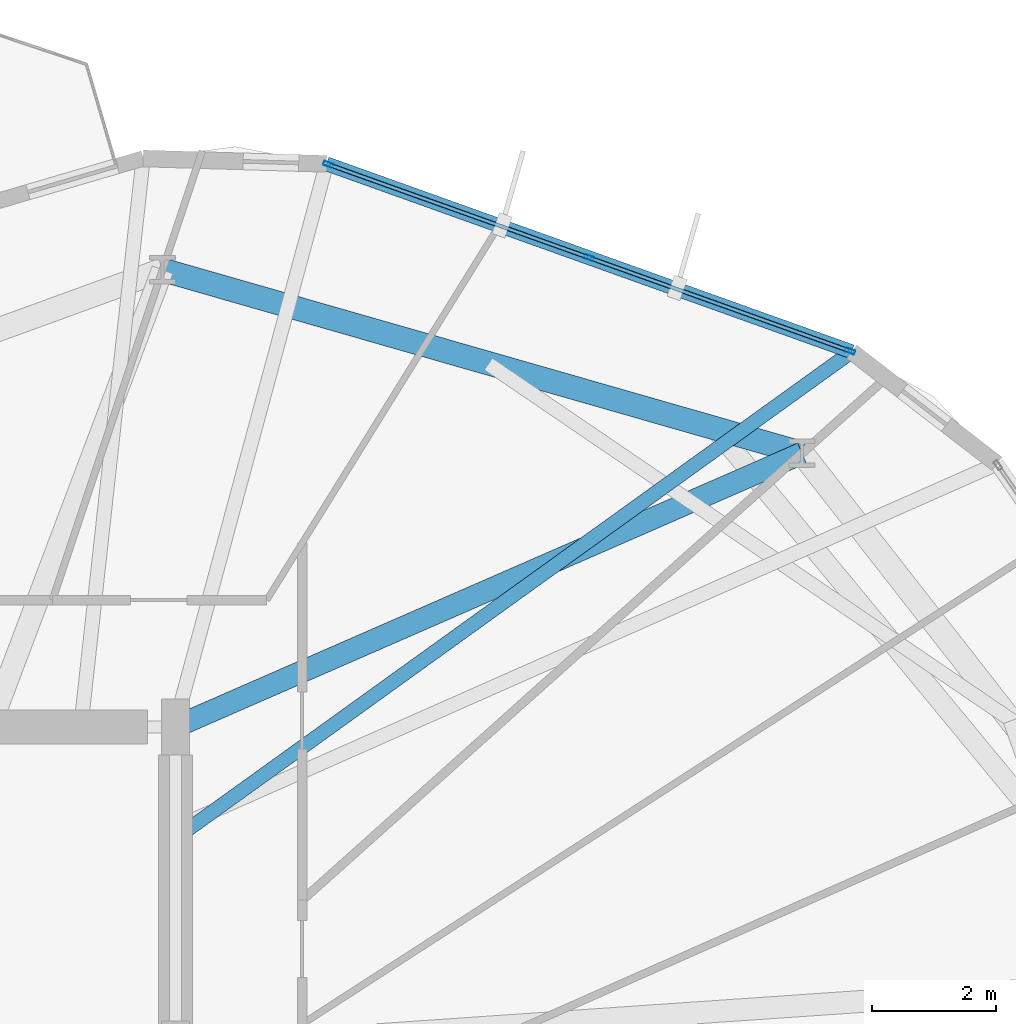
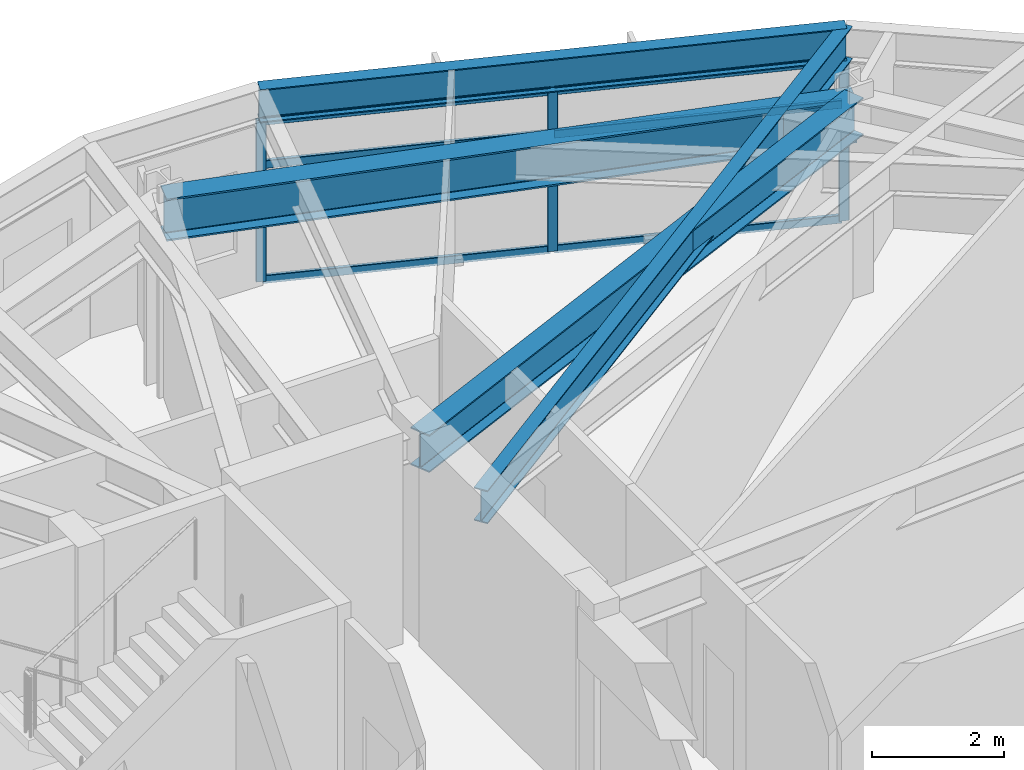
# One storey, part 16 of 24: 9 members, 4 beams, 1 element without a shape of its own.
"""IFC4 building model written with IfcOpenShell, lengths in metres."""

from ifc_helpers import new_model, si_unit, direction, frame, origin, origin_2d, place, context, subcontext, project, spatial, hollow_rectangle, i_section, extrude, material, layer, layer_set, material_profile, profile_set, type_object, element, aggregate, save


model = new_model("IFC4")

# Units and contexts
model_context = context("Model", 3, precision=1e-05, world=origin(), true_north=direction((0.0, 1.0)))
body_context = subcontext(model_context, "Body", "Model", "MODEL_VIEW")
ifc_project = project(units=[si_unit("LENGTHUNIT", "METRE"), si_unit("AREAUNIT", "SQUARE_METRE"), si_unit("VOLUMEUNIT", "CUBIC_METRE"), si_unit("PLANEANGLEUNIT", "RADIAN"), si_unit("MASSUNIT", "GRAM", prefix="KILO")], contexts=[model_context])

# Site, building, storey
site_placement = place(None, origin())
site = spatial("IfcSite", under=ifc_project, at=site_placement, CompositionType="ELEMENT")
building_placement = place(site_placement, origin())
building = spatial("IfcBuilding", under=site, at=building_placement, Name="Soratama Intermodal Tower", CompositionType="ELEMENT")
storey_placement = place(building_placement, frame((0.0, 0.0, 91.300048828125)))
storey = spatial("IfcBuildingStorey", under=building, at=storey_placement, Name="L21", CompositionType="ELEMENT", Elevation=91.300048828125)

# Beams
ifc_material_1 = material(Name="Structural steel ASTM A992 Grade 50", Category="steel")
ifc_material_profile_1 = material_profile(ifc_material_1, i_section(OverallWidth=0.35498046875, OverallDepth=0.695068359375, WebThickness=0.015380859375, FlangeThickness=0.02490234375, FilletRadius=0.01611328125, at=origin_2d()), Name="W27X146")
ifc_profile_set_1 = profile_set([ifc_material_profile_1], Name="Structural steel ASTM A992 Grade 50")
beam_type_1 = type_object("IfcBeamType", Name="BM-RING-W27X146", PredefinedType="BEAM", material=ifc_profile_set_1)
beam_1_placement = place(storey_placement, frame((44.60009765625, 35.0, 3.25244140625), z_axis=(0.91638224797, 0.400304353718, 0.0), x_axis=(-0.400304353718, 0.91638224797, 0.0)))
element("IfcBeam", 1, at=beam_1_placement, inside=storey, type_object=beam_type_1, Name="BM-L21-RAD-02", PredefinedType="BEAM", context=body_context, shape_type="SweptSolid", body=[
    extrude(i_section(OverallWidth=0.35498046875, OverallDepth=0.695068359375, WebThickness=0.015380859375, FlangeThickness=0.02490234375, FilletRadius=0.01611328125, at=origin_2d()), origin(), (0.0, 0.0, 1.0), 11.05419921875),
])
ifc_material_2 = material(Name="Structural steel ASTM A992 Grade 50", Category="steel")
ifc_material_profile_2 = material_profile(ifc_material_2, i_section(OverallWidth=0.382080078125, OverallDepth=0.779052734375, WebThickness=0.01806640625, FlangeThickness=0.030029296875, FilletRadius=0.01806640625, at=origin_2d()), Name="W30X191")
ifc_profile_set_2 = profile_set([ifc_material_profile_2], Name="Structural steel ASTM A992 Grade 50")
beam_type_2 = type_object("IfcBeamType", Name="BM-RING-W30X191", PredefinedType="BEAM", material=ifc_profile_set_2)
beam_2_placement = place(storey_placement, frame((54.72998046875, 39.425048828125, 3.21044921875), z_axis=(-0.961266505995, 0.275620580604, 0.0), x_axis=(-0.275620580604, -0.961266505995, 0.0)))
element("IfcBeam", 2, at=beam_2_placement, inside=storey, type_object=beam_type_2, Name="BM-L21-RING-02", PredefinedType="BEAM", context=body_context, shape_type="SweptSolid", body=[
    extrude(i_section(OverallWidth=0.382080078125, OverallDepth=0.779052734375, WebThickness=0.01806640625, FlangeThickness=0.030029296875, FilletRadius=0.01806640625, at=origin_2d()), origin(), (0.0, 0.0, 1.0), 10.75341796875),
])
ifc_material_3 = material(Name="Structural steel ASTM A992 Grade 50", Category="steel")
ifc_material_profile_3 = material_profile(ifc_material_3, i_section(OverallWidth=0.22900390625, OverallDepth=0.612060546875, WebThickness=0.011962890625, FlangeThickness=0.01953125, FilletRadius=0.012939453125, at=origin_2d()), Name="W24X84")
ifc_profile_set_3 = profile_set([ifc_material_profile_3], Name="Structural steel ASTM A992 Grade 50")
beam_type_3 = type_object("IfcBeamType", Name="BM-SPN-W24X84", PredefinedType="SPANDREL", material=ifc_profile_set_3)
beam_3_placement = place(storey_placement, frame((55.533935546875, 41.06591796875, 3.2939453125), z_axis=(-0.941567199784, 0.336825189513, 0.0), x_axis=(-0.336825189513, -0.941567199784, 0.0)))
element("IfcBeam", 3, at=beam_3_placement, inside=storey, type_object=beam_type_3, Name="BS-L21-F02", PredefinedType="SPANDREL", context=body_context, shape_type="SweptSolid", body=[
    extrude(i_section(OverallWidth=0.22900390625, OverallDepth=0.612060546875, WebThickness=0.011962890625, FlangeThickness=0.01953125, FilletRadius=0.012939453125, at=origin_2d()), origin(), (0.0, 0.0, 1.0), 9.016845703125),
])
ifc_material_4 = material(Name="Structural steel ASTM A992 Grade 50", Category="steel")
ifc_material_profile_4 = material_profile(ifc_material_4, i_section(OverallWidth=0.22900390625, OverallDepth=0.612060546875, WebThickness=0.011962890625, FlangeThickness=0.01953125, FilletRadius=0.012939453125, at=origin_2d()), Name="W24X84")
ifc_profile_set_4 = profile_set([ifc_material_profile_4], Name="Structural steel ASTM A992 Grade 50")
beam_type_4 = type_object("IfcBeamType", Name="BM-TIE-W24X84", PredefinedType="BEAM", material=ifc_profile_set_4)
beam_4_placement = place(storey_placement, frame((44.632080078125, 33.218994140625, 3.2939453125), z_axis=(0.81161948493, 0.58418645284, 0.0), x_axis=(-0.58418645284, 0.81161948493, 0.0)))
element("IfcBeam", 4, at=beam_4_placement, inside=storey, type_object=beam_type_4, Name="BM-L21-TIE0-02", PredefinedType="BEAM", context=body_context, shape_type="SweptSolid", body=[
    extrude(i_section(OverallWidth=0.22900390625, OverallDepth=0.612060546875, WebThickness=0.011962890625, FlangeThickness=0.01953125, FilletRadius=0.012939453125, at=origin_2d()), origin(), (0.0, 0.0, 1.0), 13.43212890625),
])

# Curtain wall, members
ifc_material_5 = material(Name="Double-glazed aluminium curtain wall", Category="aluminium")
ifc_layer = layer(ifc_material_5, 0.159912109375)
ifc_layer_set = layer_set([ifc_layer], Name="Double-glazed aluminium curtain wall")
curtain_wall_type = type_object("IfcCurtainWallType", Name="CW-SYS-3", PredefinedType="NOTDEFINED", material=ifc_layer_set)
curtain_wall_placement = place(storey_placement, origin())
curtain_wall = element("IfcCurtainWall", 5, at=curtain_wall_placement, inside=storey, type_object=curtain_wall_type, Name="L21 Faceted Curtain Wall F02", PredefinedType="NOTDEFINED")
ifc_material_6 = material(Name="Anodised aluminium AA 6063-T6", Category="aluminium")
ifc_material_profile_5 = material_profile(ifc_material_6, hollow_rectangle(XDim=0.070068359375, YDim=0.159912109375, WallThickness=0.0048828125, InnerFilletRadius=0.0048828125, OuterFilletRadius=0.010009765625, at=origin_2d()), Name="CWM160X70X5")
ifc_profile_set_5 = profile_set([ifc_material_profile_5], Name="Anodised aluminium AA 6063-T6")
member_type_1 = type_object("IfcMemberType", Name="MT-CWM-3", PredefinedType="MULLION", material=ifc_profile_set_5)
member_1_placement = place(storey_placement, frame((55.506103515625, 41.076416015625, 0.0), z_axis=(0.0, 0.0, 1.0), x_axis=(-0.336761412889, -0.941590012048, 0.0)))
member_1 = element("IfcMember", 6, at=member_1_placement, type_object=member_type_1, Name="CW-3 mullion 1", PredefinedType="MULLION", context=body_context, shape_type="SweptSolid", body=[
    extrude(hollow_rectangle(XDim=0.070068359375, YDim=0.159912109375, WallThickness=0.0048828125, InnerFilletRadius=0.0048828125, OuterFilletRadius=0.010009765625, at=origin_2d()), origin(), (0.0, 0.0, 1.0), 2.97900390625),
])
member_2_placement = place(storey_placement, frame((51.289306640625, 42.58447265625, 0.0), z_axis=(0.0, 0.0, 1.0), x_axis=(-0.336761412889, -0.941590012048, 0.0)))
member_2 = element("IfcMember", 7, at=member_2_placement, type_object=member_type_1, Name="CW-3 mullion 2", PredefinedType="MULLION", context=body_context, shape_type="SweptSolid", body=[
    extrude(hollow_rectangle(XDim=0.070068359375, YDim=0.159912109375, WallThickness=0.0048828125, InnerFilletRadius=0.0048828125, OuterFilletRadius=0.010009765625, at=origin_2d()), origin(), (0.0, 0.0, 1.0), 2.97900390625),
])
member_3_placement = place(storey_placement, frame((47.072509765625, 44.0927734375, 0.0), z_axis=(0.0, 0.0, 1.0), x_axis=(-0.336761412889, -0.941590012048, 0.0)))
member_3 = element("IfcMember", 8, at=member_3_placement, type_object=member_type_1, Name="CW-3 mullion 3", PredefinedType="MULLION", context=body_context, shape_type="SweptSolid", body=[
    extrude(hollow_rectangle(XDim=0.070068359375, YDim=0.159912109375, WallThickness=0.0048828125, InnerFilletRadius=0.0048828125, OuterFilletRadius=0.010009765625, at=origin_2d()), origin(), (0.0, 0.0, 1.0), 2.97900390625),
])
ifc_material_7 = material(Name="Anodised aluminium AA 6063-T6", Category="aluminium")
ifc_material_profile_6 = material_profile(ifc_material_7, hollow_rectangle(XDim=0.06494140625, YDim=0.14990234375, WallThickness=0.0048828125, InnerFilletRadius=0.0048828125, OuterFilletRadius=0.010009765625, at=origin_2d()), Name="CWT150X65X5")
ifc_profile_set_6 = profile_set([ifc_material_profile_6], Name="Anodised aluminium AA 6063-T6")
member_type_2 = type_object("IfcMemberType", Name="TT-CWT-1", PredefinedType="USERDEFINED", material=ifc_profile_set_6)
member_4_placement = place(storey_placement, frame((55.477783203125, 41.08642578125, 0.030029296875), z_axis=(-0.94158554829, 0.336773893365, 0.0), x_axis=(-0.336773893365, -0.94158554829, 0.0)))
member_4 = element("IfcMember", 9, at=member_4_placement, type_object=member_type_2, Name="CW-3 transom 1.1", ObjectType="TRANSOM", PredefinedType="USERDEFINED", context=body_context, shape_type="SweptSolid", body=[
    extrude(hollow_rectangle(XDim=0.06494140625, YDim=0.14990234375, WallThickness=0.0048828125, InnerFilletRadius=0.0048828125, OuterFilletRadius=0.010009765625, at=origin_2d()), origin(), (0.0, 0.0, 1.0), 4.41845703125),
])
member_5_placement = place(storey_placement, frame((55.477783203125, 41.08642578125, 2.14990234375), z_axis=(-0.94158554829, 0.336773893365, 0.0), x_axis=(-0.336773893365, -0.94158554829, 0.0)))
member_5 = element("IfcMember", 10, at=member_5_placement, type_object=member_type_2, Name="CW-3 transom 1.2", ObjectType="TRANSOM", PredefinedType="USERDEFINED", context=body_context, shape_type="SweptSolid", body=[
    extrude(hollow_rectangle(XDim=0.06494140625, YDim=0.14990234375, WallThickness=0.0048828125, InnerFilletRadius=0.0048828125, OuterFilletRadius=0.010009765625, at=origin_2d()), origin(), (0.0, 0.0, 1.0), 4.41845703125),
])
member_6_placement = place(storey_placement, frame((55.477783203125, 41.08642578125, 2.948974609375), z_axis=(-0.94158554829, 0.336773893365, 0.0), x_axis=(-0.336773893365, -0.94158554829, 0.0)))
member_6 = element("IfcMember", 11, at=member_6_placement, type_object=member_type_2, Name="CW-3 transom 1.3", ObjectType="TRANSOM", PredefinedType="USERDEFINED", context=body_context, shape_type="SweptSolid", body=[
    extrude(hollow_rectangle(XDim=0.06494140625, YDim=0.14990234375, WallThickness=0.0048828125, InnerFilletRadius=0.0048828125, OuterFilletRadius=0.010009765625, at=origin_2d()), origin(), (0.0, 0.0, 1.0), 4.41845703125),
])
member_7_placement = place(storey_placement, frame((51.260986328125, 42.5947265625, 0.030029296875), z_axis=(-0.941603068504, 0.33672490461, 0.0), x_axis=(-0.33672490461, -0.941603068504, 0.0)))
member_7 = element("IfcMember", 12, at=member_7_placement, type_object=member_type_2, Name="CW-3 transom 2.1", ObjectType="TRANSOM", PredefinedType="USERDEFINED", context=body_context, shape_type="SweptSolid", body=[
    extrude(hollow_rectangle(XDim=0.06494140625, YDim=0.14990234375, WallThickness=0.0048828125, InnerFilletRadius=0.0048828125, OuterFilletRadius=0.010009765625, at=origin_2d()), origin(), (0.0, 0.0, 1.0), 4.41845703125),
])
member_8_placement = place(storey_placement, frame((51.260986328125, 42.5947265625, 2.14990234375), z_axis=(-0.941603068504, 0.33672490461, 0.0), x_axis=(-0.33672490461, -0.941603068504, 0.0)))
member_8 = element("IfcMember", 13, at=member_8_placement, type_object=member_type_2, Name="CW-3 transom 2.2", ObjectType="TRANSOM", PredefinedType="USERDEFINED", context=body_context, shape_type="SweptSolid", body=[
    extrude(hollow_rectangle(XDim=0.06494140625, YDim=0.14990234375, WallThickness=0.0048828125, InnerFilletRadius=0.0048828125, OuterFilletRadius=0.010009765625, at=origin_2d()), origin(), (0.0, 0.0, 1.0), 4.41845703125),
])
member_9_placement = place(storey_placement, frame((51.260986328125, 42.5947265625, 2.948974609375), z_axis=(-0.941603068504, 0.33672490461, 0.0), x_axis=(-0.33672490461, -0.941603068504, 0.0)))
member_9 = element("IfcMember", 14, at=member_9_placement, type_object=member_type_2, Name="CW-3 transom 2.3", ObjectType="TRANSOM", PredefinedType="USERDEFINED", context=body_context, shape_type="SweptSolid", body=[
    extrude(hollow_rectangle(XDim=0.06494140625, YDim=0.14990234375, WallThickness=0.0048828125, InnerFilletRadius=0.0048828125, OuterFilletRadius=0.010009765625, at=origin_2d()), origin(), (0.0, 0.0, 1.0), 4.41845703125),
])
aggregate(curtain_wall, [member_1, member_2, member_3, member_4, member_5, member_6, member_7, member_8, member_9])

save(model, "model.ifc")
